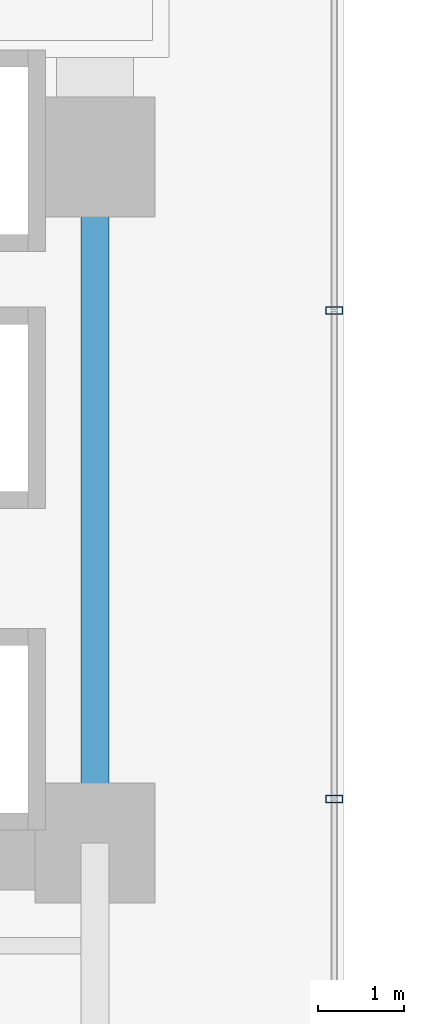
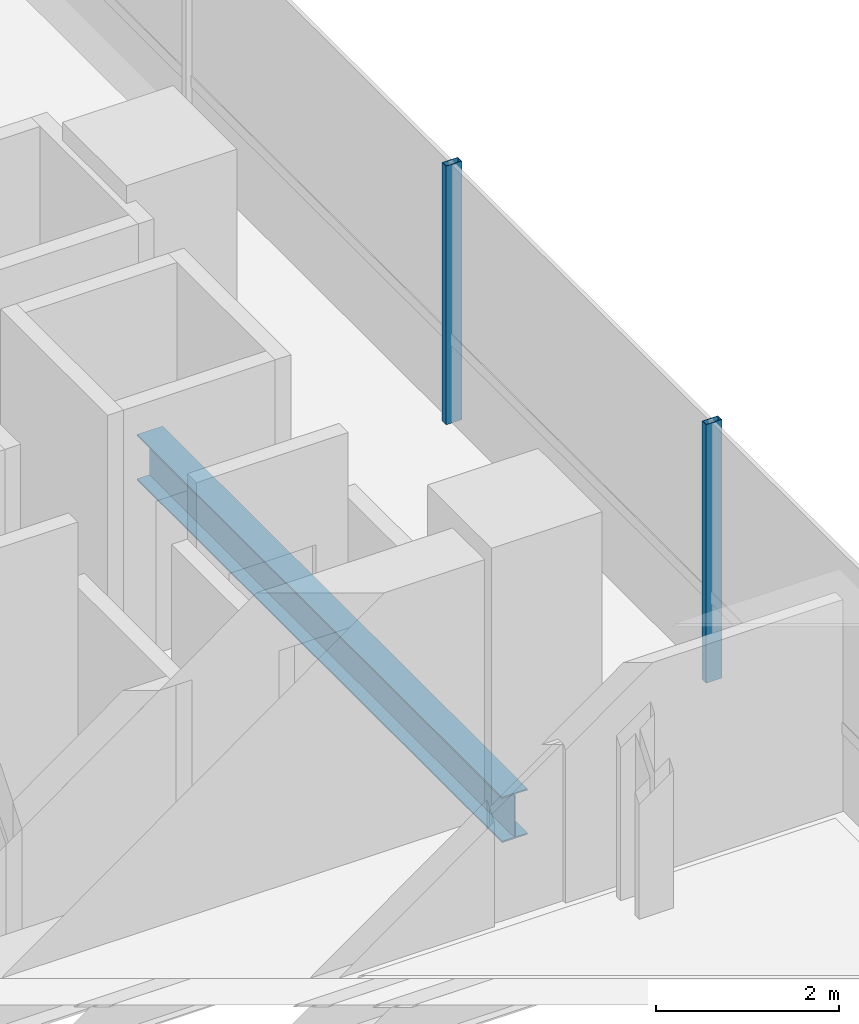
# One storey, part 6 of 41: 2 members, 1 beam, 1 element without a shape of its own.
"""IFC4 building model written with IfcOpenShell, lengths in metres."""

from ifc_helpers import new_model, si_unit, direction, frame, origin, origin_2d, place, context, subcontext, project, spatial, hollow_rectangle, i_section, extrude, source, transform, mapped, material, material_profile, profile_set, type_object, element, aggregate, save


model = new_model("IFC4")

# Units and contexts
model_context = context("Model", 3, precision=1e-05, world=origin(), true_north=direction((0.0, 1.0)))
body_context = subcontext(model_context, "Body", "Model", "MODEL_VIEW")
ifc_project = project(units=[si_unit("LENGTHUNIT", "METRE"), si_unit("AREAUNIT", "SQUARE_METRE"), si_unit("VOLUMEUNIT", "CUBIC_METRE"), si_unit("PLANEANGLEUNIT", "RADIAN"), si_unit("MASSUNIT", "GRAM", prefix="KILO")], contexts=[model_context])

# Site, building, storey
site_placement = place(None, origin())
site = spatial("IfcSite", under=ifc_project, at=site_placement, CompositionType="ELEMENT")
building_placement = place(site_placement, origin())
building = spatial("IfcBuilding", under=site, at=building_placement, Name="Valdorenza Pilgrim Sanctuary Tower", CompositionType="ELEMENT")
storey_placement = place(building_placement, frame((0.0, 0.0, 85.199951171875)))
storey = spatial("IfcBuildingStorey", under=building, at=storey_placement, Name="L21", CompositionType="ELEMENT", Elevation=85.199951171875)

# Beam
ifc_material_1 = material(Name="Steel ASTM A992 Grade 50", Category="steel")
ifc_material_profile_1 = material_profile(ifc_material_1, i_section(OverallWidth=0.323974609375, OverallDepth=0.611083984375, WebThickness=0.0126953125, FlangeThickness=0.01904296875, at=origin_2d()), Name="W24X104")
ifc_profile_set_1 = profile_set([ifc_material_profile_1], Name="Steel ASTM A992 Grade 50")
beam_type = type_object("IfcBeamType", Name="STR-BM-GRD-W24B", PredefinedType="BEAM", material=ifc_profile_set_1)
shared_shape_1 = source(origin(), body_context, "Body", "SweptSolid", [
    extrude(i_section(OverallWidth=0.323974609375, OverallDepth=0.611083984375, WebThickness=0.0126953125, FlangeThickness=0.01904296875, at=origin_2d()), origin(), (0.0, 0.0, 1.0), 8.0),
])
beam_placement = place(storey_placement, frame((-12.39990234375, -10.60009765625, -0.54541015625), z_axis=(0.0, 1.0, 0.0), x_axis=(-1.0, 0.0, 0.0)))
element("IfcBeam", 1, at=beam_placement, inside=storey, type_object=beam_type, Name="L21 Core Tie Girder CA-E-S1M0", PredefinedType="BEAM", context=body_context, shape_type="MappedRepresentation", body=[
    mapped(shared_shape_1, transform((0.0, 0.0, 0.0), x_axis=(1.0, 0.0, 0.0), y_axis=(0.0, 1.0, 0.0), z_axis=(0.0, 0.0, 1.0), scale=1.0)),
])

# Curtain wall, members
ifc_material_2 = material(Name="Curtain-wall IGU glazing", Category="glass")
curtain_wall_type = type_object("IfcCurtainWallType", Name="CW-SYS-02", PredefinedType="NOTDEFINED", material=ifc_material_2)
curtain_wall_placement = place(storey_placement, origin())
curtain_wall = element("IfcCurtainWall", 2, at=curtain_wall_placement, inside=storey, type_object=curtain_wall_type, Name="L21 Curtain Wall CW-L21-1-41", PredefinedType="NOTDEFINED")
ifc_material_3 = material(Name="Anodised aluminium AW-6060", Category="aluminium")
ifc_material_profile_2 = material_profile(ifc_material_3, hollow_rectangle(XDim=0.0849609375, YDim=0.199951171875, WallThickness=0.0048828125, at=origin_2d()), Name="ALU-M 200x85x5")
ifc_profile_set_2 = profile_set([ifc_material_profile_2], Name="Anodised aluminium AW-6060")
member_type = type_object("IfcMemberType", Name="CW-MUL-02", PredefinedType="MULLION", material=ifc_profile_set_2)
shared_shape_2 = source(origin(), body_context, "Body", "SweptSolid", [
    extrude(hollow_rectangle(XDim=0.0849609375, YDim=0.199951171875, WallThickness=0.0048828125, at=origin_2d()), origin(), (0.0, 0.0, 1.0), 3.4599609375),
])
member_1_placement = place(storey_placement, frame((-9.610107421875, -4.38916015625, 0.0), z_axis=(0.0, 0.0, 1.0), x_axis=(0.0, -1.0, 0.0)))
member_1 = element("IfcMember", 3, at=member_1_placement, type_object=member_type, Name="CW-L21-1-41 Mullion 3", PredefinedType="MULLION", context=body_context, shape_type="MappedRepresentation", body=[
    mapped(shared_shape_2, transform((0.0, 0.0, 0.0), x_axis=(1.0, 0.0, 0.0), y_axis=(0.0, 1.0, 0.0), z_axis=(0.0, 0.0, 1.0), scale=1.0)),
])
member_2_placement = place(storey_placement, frame((-9.610107421875, -10.089111328125, 0.0), z_axis=(0.0, 0.0, 1.0), x_axis=(0.0, -1.0, 0.0)))
member_2 = element("IfcMember", 4, at=member_2_placement, type_object=member_type, Name="CW-L21-1-41 Mullion 4", PredefinedType="MULLION", context=body_context, shape_type="MappedRepresentation", body=[
    mapped(shared_shape_2, transform((0.0, 0.0, 0.0), x_axis=(1.0, 0.0, 0.0), y_axis=(0.0, 1.0, 0.0), z_axis=(0.0, 0.0, 1.0), scale=1.0)),
])
aggregate(curtain_wall, [member_1, member_2])

save(model, "model.ifc")
